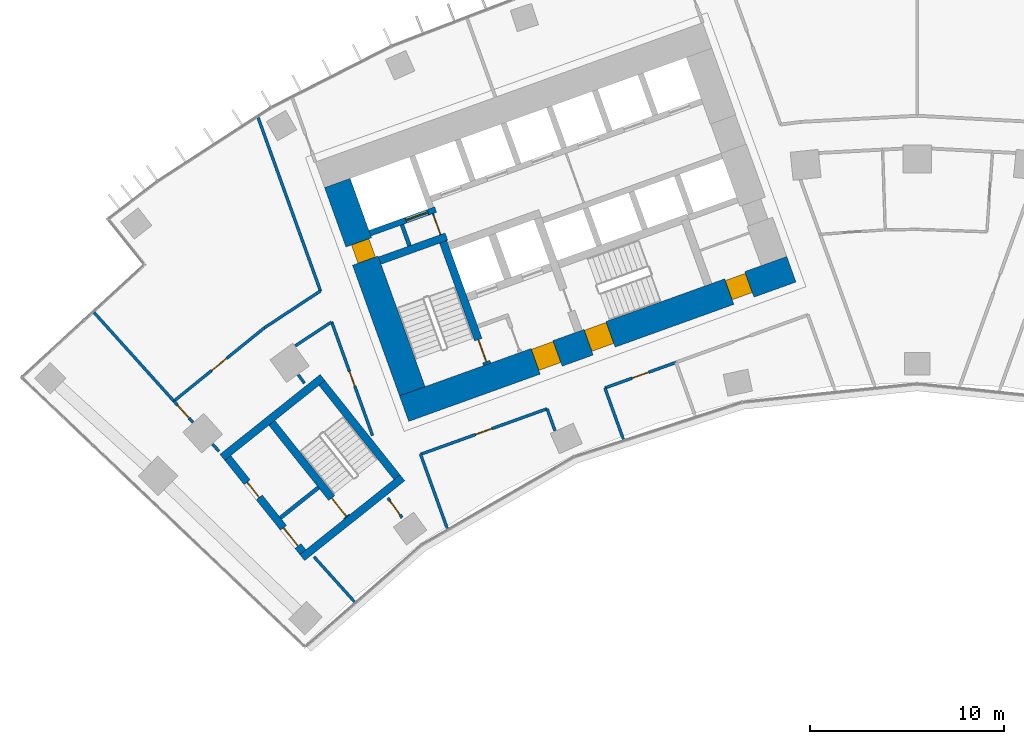
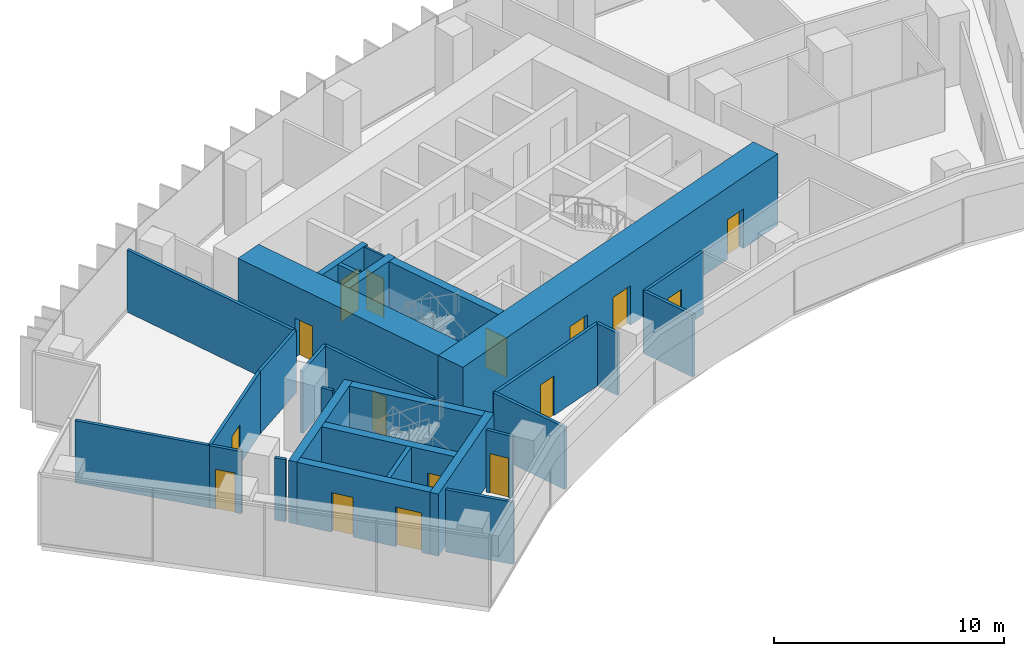
# One storey, part 15 of 22: 29 walls, 16 doors, 16 openings.
"""IFC4 building model written with IfcOpenShell, lengths in metres."""

from ifc_helpers import new_model, si_unit, direction, frame, frame_2d, origin, place, context, subcontext, project, spatial, rectangle, extrude, material, layer, layer_set, type_object, element, fill, save


model = new_model("IFC4")

# Units and contexts
model_context = context("Model", 3, precision=1e-05, world=origin(), true_north=direction((0.0, 1.0)))
body_context = subcontext(model_context, "Body", "Model", "MODEL_VIEW")
ifc_project = project(units=[si_unit("LENGTHUNIT", "METRE"), si_unit("AREAUNIT", "SQUARE_METRE"), si_unit("VOLUMEUNIT", "CUBIC_METRE"), si_unit("PLANEANGLEUNIT", "RADIAN"), si_unit("MASSUNIT", "GRAM", prefix="KILO")], contexts=[model_context])

# Site, building, storey
site_placement = place(None, origin())
site = spatial("IfcSite", under=ifc_project, at=site_placement, CompositionType="ELEMENT")
building_placement = place(site_placement, origin())
building = spatial("IfcBuilding", under=site, at=building_placement, Name="Stone Belt Terrace Tower", CompositionType="ELEMENT")
storey_placement = place(building_placement, frame((0.0, 0.0, 132.60009765625)))
storey = spatial("IfcBuildingStorey", under=building, at=storey_placement, Name="L32", CompositionType="ELEMENT", Elevation=132.60009765625)

# Wall, opening, door
ifc_material_1 = material(Name="Plasterboard partition")
ifc_layer_1 = layer(ifc_material_1, 0.10009765625)
ifc_layer_set_1 = layer_set([ifc_layer_1], Name="Core partition 100")
wall_type_1 = type_object("IfcWallType", Name="Core partition 100", PredefinedType="PARTITIONING", material=ifc_layer_set_1)
wall_1_placement = place(storey_placement, frame((-24.555908203125, 51.10400390625, 0.0), z_axis=(0.0, 0.0, 1.0), x_axis=(-0.338621735342, 0.94092258999, 0.0)))
wall_1 = element("IfcWall", 1, at=wall_1_placement, inside=storey, type_object=wall_type_1, Name="Core A wall", PredefinedType="PARTITIONING", context=body_context, shape_type="SweptSolid", body=[
    extrude(rectangle(XDim=1.14990234375, YDim=0.10009765625, at=frame_2d((0.574951171875, 0.0))), origin(), (0.0, 0.0, 1.0), 3.2998046875),
])
opening_1_placement = place(wall_1_placement, frame((0.050048828125, 0.0, 0.0)))
opening_1 = element("IfcOpeningElement", 2, at=opening_1_placement, cuts=wall_1, Name="Opening L32-C02", PredefinedType="OPENING", context=body_context, shape_type="SweptSolid", body=[
    extrude(rectangle(XDim=1.0, YDim=2.10009765625, at=frame_2d((0.5, 1.050048828125))), frame((0.0, 0.06005859375, 0.0), z_axis=(0.0, -1.0, 0.0), x_axis=(1.0, 0.0, 0.0)), (0.0, 0.0, 1.0), 0.1201171875),
])
ifc_material_2 = material(Name="Timber door leaf", Category="wood")
door_type_1 = type_object("IfcDoorType", Name="Core room door 1000", OperationType="SINGLE_SWING_LEFT", PredefinedType="DOOR", material=ifc_material_2)
door_1_placement = place(opening_1_placement, origin())
door_1 = element("IfcDoor", 3, at=door_1_placement, inside=storey, type_object=door_type_1, Name="Service lift lobby door core A", OperationType="SINGLE_SWING_RIGHT", OverallHeight=2.10009765625, OverallWidth=1.0, PredefinedType="DOOR", context=body_context, shape_type="SweptSolid", body=[
    extrude(rectangle(XDim=1.0, YDim=2.10009765625, at=frame_2d((0.5, 1.050048828125))), frame((0.0, 0.02490234375, 0.0), z_axis=(0.0, -1.0, 0.0), x_axis=(1.0, 0.0, 0.0)), (0.0, 0.0, 1.0), 0.050048828125),
])
fill(opening_1, door_1)

# Wall, openings, doors
ifc_material_3 = material(Name="Concrete B80", Category="concrete")
ifc_layer_2 = layer(ifc_material_3, 1.39990234375)
ifc_layer_set_2 = layer_set([ifc_layer_2], Name="Core wall 1400 B80")
wall_type_2 = type_object("IfcWallType", Name="Core wall 1400 B80", PredefinedType="SHEAR", material=ifc_layer_set_2)
wall_2_placement = place(storey_placement, frame((-26.430908203125, 42.139404296875, 0.0), z_axis=(0.0, 0.0, 1.0), x_axis=(0.940923374003, 0.33861955681, 0.0)))
wall_2 = element("IfcWall", 4, at=wall_2_placement, inside=storey, type_object=wall_type_2, Name="Core A wall concave L32", PredefinedType="SHEAR", context=body_context, shape_type="SweptSolid", body=[
    extrude(rectangle(XDim=21.199951171875, YDim=1.39990234375, at=frame_2d((10.60009765625, 0.0))), origin(), (0.0, 0.0, 1.0), 3.7998046875),
])
opening_2_placement = place(wall_2_placement, frame((7.199951171875, 0.0, 0.0)))
opening_2 = element("IfcOpeningElement", 5, at=opening_2_placement, cuts=wall_2, Name="Opening L32-C07", PredefinedType="OPENING", context=body_context, shape_type="SweptSolid", body=[
    extrude(rectangle(XDim=1.199951171875, YDim=2.10009765625, at=frame_2d((0.60009765625, 1.050048828125))), frame((0.0, 0.7099609375, 0.0), z_axis=(0.0, -1.0, 0.0), x_axis=(1.0, 0.0, 0.0)), (0.0, 0.0, 1.0), 1.419921875),
])
opening_3_placement = place(wall_2_placement, frame((10.099853515625, 0.0, 0.0)))
opening_3 = element("IfcOpeningElement", 6, at=opening_3_placement, cuts=wall_2, Name="Opening L32-C09", PredefinedType="OPENING", context=body_context, shape_type="SweptSolid", body=[
    extrude(rectangle(XDim=1.199951171875, YDim=2.10009765625, at=frame_2d((0.60009765625, 1.050048828125))), frame((0.0, 0.7099609375, 0.0), z_axis=(0.0, -1.0, 0.0), x_axis=(1.0, 0.0, 0.0)), (0.0, 0.0, 1.0), 1.419921875),
])
opening_4_placement = place(wall_2_placement, frame((17.800048828125, 0.0, 0.0)))
opening_4 = element("IfcOpeningElement", 7, at=opening_4_placement, cuts=wall_2, Name="Opening L32-C11", PredefinedType="OPENING", context=body_context, shape_type="SweptSolid", body=[
    extrude(rectangle(XDim=1.10009765625, YDim=2.10009765625, at=frame_2d((0.550048828125, 1.050048828125))), frame((0.0, 0.7099609375, 0.0), z_axis=(0.0, -1.0, 0.0), x_axis=(1.0, 0.0, 0.0)), (0.0, 0.0, 1.0), 1.419921875),
])
door_type_2 = type_object("IfcDoorType", Name="Core room door 1100", OperationType="SINGLE_SWING_LEFT", PredefinedType="DOOR", material=ifc_material_2)
door_2_placement = place(opening_4_placement, origin())
door_2 = element("IfcDoor", 8, at=door_2_placement, inside=storey, type_object=door_type_2, Name="Door to Cleaner's store core A", OperationType="SINGLE_SWING_RIGHT", OverallHeight=2.10009765625, OverallWidth=1.10009765625, PredefinedType="DOOR", context=body_context, shape_type="SweptSolid", body=[
    extrude(rectangle(XDim=1.10009765625, YDim=2.10009765625, at=frame_2d((0.550048828125, 1.050048828125))), frame((0.0, 0.60498046875, 0.0), z_axis=(0.0, -1.0, 0.0), x_axis=(1.0, 0.0, 0.0)), (0.0, 0.0, 1.0), 1.050048828125),
])
fill(opening_4, door_2)
ifc_material_4 = material(Name="Steel door leaf", Category="steel")
door_type_3 = type_object("IfcDoorType", Name="Fire-fighting lobby door 1200", OperationType="SINGLE_SWING_LEFT", PredefinedType="DOOR", material=ifc_material_4)
door_3_placement = place(opening_2_placement, origin())
door_3 = element("IfcDoor", 9, at=door_3_placement, inside=storey, type_object=door_type_3, Name="Fire-fighting lobby door core A", OperationType="SINGLE_SWING_RIGHT", OverallHeight=2.10009765625, OverallWidth=1.199951171875, PredefinedType="DOOR", context=body_context, shape_type="SweptSolid", body=[
    extrude(rectangle(XDim=1.199951171875, YDim=2.10009765625, at=frame_2d((0.60009765625, 1.050048828125))), frame((0.0, 0.655029296875, 0.0), z_axis=(0.0, -1.0, 0.0), x_axis=(1.0, 0.0, 0.0)), (0.0, 0.0, 1.0), 1.14990234375),
])
fill(opening_2, door_3)
door_type_4 = type_object("IfcDoorType", Name="Stair door 1200", OperationType="SINGLE_SWING_LEFT", PredefinedType="DOOR", material=ifc_material_4)
door_4_placement = place(opening_3_placement, origin())
door_4 = element("IfcDoor", 10, at=door_4_placement, inside=storey, type_object=door_type_4, Name="Stair 2 exit door core A", OperationType="SINGLE_SWING_LEFT", OverallHeight=2.10009765625, OverallWidth=1.199951171875, PredefinedType="DOOR", context=body_context, shape_type="SweptSolid", body=[
    extrude(rectangle(XDim=1.199951171875, YDim=2.10009765625, at=frame_2d((0.60009765625, 1.050048828125))), frame((0.0, 0.655029296875, 0.0), z_axis=(0.0, -1.0, 0.0), x_axis=(1.0, 0.0, 0.0)), (0.0, 0.0, 1.0), 1.14990234375),
])
fill(opening_3, door_4)

# Wall, opening, door
wall_3_placement = place(storey_placement, frame((-26.00927734375, 43.03515625, 0.0), z_axis=(0.0, 0.0, 1.0), x_axis=(-0.338625431531, 0.940921259788, 0.0)))
wall_3 = element("IfcWall", 11, at=wall_3_placement, inside=storey, type_object=wall_type_2, Name="Core A wall end_a L32", PredefinedType="SHEAR", context=body_context, shape_type="SweptSolid", body=[
    extrude(rectangle(XDim=11.400146484375, YDim=1.39990234375, at=frame_2d((5.7001953125, 0.0))), origin(), (0.0, 0.0, 1.0), 3.7998046875),
])
opening_5_placement = place(wall_3_placement, frame((7.14990234375, 0.0, 0.0)))
opening_5 = element("IfcOpeningElement", 12, at=opening_5_placement, cuts=wall_3, Name="Opening L32-C01", PredefinedType="OPENING", context=body_context, shape_type="SweptSolid", body=[
    extrude(rectangle(XDim=1.0, YDim=2.10009765625, at=frame_2d((0.5, 1.050048828125))), frame((0.0, 0.7099609375, 0.0), z_axis=(0.0, -1.0, 0.0), x_axis=(1.0, 0.0, 0.0)), (0.0, 0.0, 1.0), 1.419921875),
])
door_5_placement = place(opening_5_placement, origin())
door_5 = element("IfcDoor", 13, at=door_5_placement, inside=storey, type_object=door_type_1, Name="Door to Telecommunications riser room core A", OperationType="SINGLE_SWING_LEFT", OverallHeight=2.10009765625, OverallWidth=1.0, PredefinedType="DOOR", context=body_context, shape_type="SweptSolid", body=[
    extrude(rectangle(XDim=1.0, YDim=2.10009765625, at=frame_2d((0.5, 1.050048828125))), frame((0.0, 0.39501953125, 0.0), z_axis=(0.0, -1.0, 0.0), x_axis=(1.0, 0.0, 0.0)), (0.0, 0.0, 1.0), 0.949951171875),
])
fill(opening_5, door_5)

ifc_layer_3 = layer(ifc_material_3, 0.300048828125)
ifc_layer_set_3 = layer_set([ifc_layer_3], Name="Lift shaft wall 300")
wall_type_3 = type_object("IfcWallType", Name="Lift shaft wall 300", PredefinedType="SHEAR", material=ifc_layer_set_3)
wall_4_placement = place(storey_placement, frame((-28.195068359375, 51.17578125, 0.0), z_axis=(0.0, 0.0, 1.0), x_axis=(0.940901243567, 0.338681044427, 0.0)))
wall_4 = element("IfcWall", 14, at=wall_4_placement, inside=storey, type_object=wall_type_3, Name="Core A wall", PredefinedType="SHEAR", context=body_context, shape_type="SweptSolid", body=[
    extrude(rectangle(XDim=3.599853515625, YDim=0.300048828125, at=frame_2d((1.7998046875, 0.0))), origin(), (0.0, 0.0, 1.0), 3.2998046875),
])
opening_6_placement = place(wall_4_placement, frame((1.969970703125, 0.0, 0.0)))
opening_6 = element("IfcOpeningElement", 15, at=opening_6_placement, cuts=wall_4, Name="Opening L32-LD09", PredefinedType="OPENING", context=body_context, shape_type="SweptSolid", body=[
    extrude(rectangle(XDim=1.199951171875, YDim=2.199951171875, at=frame_2d((0.60009765625, 1.10009765625))), frame((0.0, 0.159912109375, 0.0), z_axis=(0.0, -1.0, 0.0), x_axis=(1.0, 0.0, 0.0)), (0.0, 0.0, 1.0), 0.320068359375),
])
ifc_material_5 = material(Name="Stainless steel door leaf", Category="steel")
door_type_5 = type_object("IfcDoorType", Name="Landing door 1200", OperationType="SLIDING_TO_LEFT", PredefinedType="DOOR", material=ifc_material_5)
door_6_placement = place(opening_6_placement, origin())
door_6 = element("IfcDoor", 16, at=door_6_placement, inside=storey, type_object=door_type_5, Name="Landing door SV1 core A", OperationType="SLIDING_TO_LEFT", OverallHeight=2.199951171875, OverallWidth=1.199951171875, PredefinedType="DOOR", context=body_context, shape_type="SweptSolid", body=[
    extrude(rectangle(XDim=1.199951171875, YDim=2.199951171875, at=frame_2d((0.60009765625, 1.10009765625))), frame((0.0, 0.02490234375, 0.0), z_axis=(0.0, -1.0, 0.0), x_axis=(1.0, 0.0, 0.0)), (0.0, 0.0, 1.0), 0.050048828125),
])
fill(opening_6, door_6)

# Wall
ifc_material_6 = material(Name="Gypsum board partition")
ifc_layer_4 = layer(ifc_material_6, 0.14990234375)
ifc_layer_set_4 = layer_set([ifc_layer_4], Name="PARTITION 150 EI 60")
wall_type_4 = type_object("IfcWallType", Name="PARTITION 150 EI 60", PredefinedType="PARTITIONING", material=ifc_layer_set_4)
wall_5_placement = place(storey_placement, frame((-25.5859375, 39.79296875, 0.0), z_axis=(0.0, 0.0, 1.0), x_axis=(0.338542603355, -0.940951064463, 0.0)))
element("IfcWall", 17, at=wall_5_placement, inside=storey, type_object=wall_type_4, Name="L32/wall/i001", PredefinedType="PARTITIONING", context=body_context, shape_type="SweptSolid", body=[
    extrude(rectangle(XDim=4.05712890625, YDim=0.14990234375, at=frame_2d((2.028564453125, 0.0))), origin(), (0.0, 0.0, 1.0), 3.2998046875),
])

# Wall, opening, door
wall_6_placement = place(storey_placement, frame((-28.05810546875, 40.75390625, 0.0), z_axis=(0.0, 0.0, 1.0), x_axis=(-0.338523697563, 0.94095786632, 0.0)))
wall_6 = element("IfcWall", 18, at=wall_6_placement, inside=storey, type_object=wall_type_4, Name="L32/wall/i003", PredefinedType="PARTITIONING", context=body_context, shape_type="SweptSolid", body=[
    extrude(rectangle(XDim=6.226806640625, YDim=0.14990234375, at=frame_2d((3.11328125, 0.0))), origin(), (0.0, 0.0, 1.0), 3.2998046875),
])
opening_7_placement = place(wall_6_placement, frame((2.71337890625, 0.0, 0.0)))
opening_7 = element("IfcOpeningElement", 19, at=opening_7_placement, cuts=wall_6, Name="Opening D-B5-13", PredefinedType="OPENING", context=body_context, shape_type="SweptSolid", body=[
    extrude(rectangle(XDim=0.800048828125, YDim=2.10009765625, at=frame_2d((0.39990234375, 1.050048828125))), frame((0.0, 0.0849609375, 0.0), z_axis=(0.0, -1.0, 0.0), x_axis=(1.0, 0.0, 0.0)), (0.0, 0.0, 1.0), 0.169921875),
])
door_type_6 = type_object("IfcDoorType", Name="STORE DOOR 800 X 2100", OperationType="NOTDEFINED", PredefinedType="DOOR", material=ifc_material_2)
door_7_placement = place(opening_7_placement, origin())
door_7 = element("IfcDoor", 20, at=door_7_placement, inside=storey, type_object=door_type_6, Name="L32/door/i13", OperationType="SINGLE_SWING_RIGHT", OverallHeight=2.10009765625, OverallWidth=0.800048828125, PredefinedType="DOOR", context=body_context, shape_type="SweptSolid", body=[
    extrude(rectangle(XDim=0.800048828125, YDim=2.10009765625, at=frame_2d((0.39990234375, 1.050048828125))), frame((0.0, 0.02490234375, 0.0), z_axis=(0.0, -1.0, 0.0), x_axis=(1.0, 0.0, 0.0)), (0.0, 0.0, 1.0), 0.050048828125),
])
fill(opening_7, door_7)

wall_7_placement = place(storey_placement, frame((-26.534912109375, 36.52294921875, 0.0), z_axis=(0.0, 0.0, 1.0), x_axis=(-0.58822969918, 0.80869389821, 0.0)))
wall_7 = element("IfcWall", 21, at=wall_7_placement, inside=storey, type_object=wall_type_4, Name="L32/wall/i004", PredefinedType="PARTITIONING", context=body_context, shape_type="SweptSolid", body=[
    extrude(rectangle(XDim=1.25146484375, YDim=0.14990234375, at=frame_2d((0.625732421875, 0.0))), origin(), (0.0, 0.0, 1.0), 3.2998046875),
])
opening_8_placement = place(wall_7_placement, frame((0.17578125, 0.0, 0.0)))
opening_8 = element("IfcOpeningElement", 22, at=opening_8_placement, cuts=wall_7, Name="Opening D-B5-14", PredefinedType="OPENING", context=body_context, shape_type="SweptSolid", body=[
    extrude(rectangle(XDim=0.89990234375, YDim=2.10009765625, at=frame_2d((0.449951171875, 1.050048828125))), frame((0.0, 0.0849609375, 0.0), z_axis=(0.0, -1.0, 0.0), x_axis=(1.0, 0.0, 0.0)), (0.0, 0.0, 1.0), 0.169921875),
])
ifc_material_7 = material(Name="Timber fire door leaf", Category="wood")
door_type_7 = type_object("IfcDoorType", Name="TENANCY ENTRANCE DOOR 900 X 2100", OperationType="NOTDEFINED", PredefinedType="DOOR", material=ifc_material_7)
door_8_placement = place(opening_8_placement, origin())
door_8 = element("IfcDoor", 23, at=door_8_placement, inside=storey, type_object=door_type_7, Name="L32/door/i14", OperationType="SINGLE_SWING_RIGHT", OverallHeight=2.10009765625, OverallWidth=0.89990234375, PredefinedType="DOOR", context=body_context, shape_type="SweptSolid", body=[
    extrude(rectangle(XDim=0.89990234375, YDim=2.10009765625, at=frame_2d((0.449951171875, 1.050048828125))), frame((0.0, 0.02490234375, 0.0), z_axis=(0.0, -1.0, 0.0), x_axis=(1.0, 0.0, 0.0)), (0.0, 0.0, 1.0), 0.050048828125),
])
fill(opening_8, door_8)

# Walls
wall_8_placement = place(storey_placement, frame((-30.737060546875, 48.197021484375, 0.0), z_axis=(0.0, 0.0, 1.0), x_axis=(-0.338586530295, 0.940935258933, 0.0)))
element("IfcWall", 24, at=wall_8_placement, inside=storey, type_object=wall_type_4, Name="L32/wall/i005", PredefinedType="PARTITIONING", context=body_context, shape_type="SweptSolid", body=[
    extrude(rectangle(XDim=9.494873046875, YDim=0.14990234375, at=frame_2d((4.74755859375, 0.0))), origin(), (0.0, 0.0, 1.0), 3.2998046875),
])
wall_9_placement = place(storey_placement, frame((-18.6611328125, 41.0048828125, 0.0), z_axis=(0.0, 0.0, 1.0), x_axis=(-0.338560385622, 0.940944666432, 0.0)))
element("IfcWall", 25, at=wall_9_placement, inside=storey, type_object=wall_type_4, Name="L32/wall/i011", PredefinedType="PARTITIONING", context=body_context, shape_type="SweptSolid", body=[
    extrude(rectangle(XDim=1.195556640625, YDim=0.14990234375, at=frame_2d((0.59765625, 0.0))), origin(), (0.0, 0.0, 1.0), 3.2998046875),
])

# Wall, opening, door
wall_10_placement = place(storey_placement, frame((-19.069091796875, 42.131103515625, 0.0), z_axis=(0.0, 0.0, 1.0), x_axis=(-0.940934157929, -0.338589589981, 0.0)))
wall_10 = element("IfcWall", 26, at=wall_10_placement, inside=storey, type_object=wall_type_4, Name="L32/wall/i012", PredefinedType="PARTITIONING", context=body_context, shape_type="SweptSolid", body=[
    extrude(rectangle(XDim=6.9228515625, YDim=0.14990234375, at=frame_2d((3.46142578125, 0.0))), origin(), (0.0, 0.0, 1.0), 3.2998046875),
])
opening_9_placement = place(wall_10_placement, frame((3.011474609375, 0.0, 0.0)))
opening_9 = element("IfcOpeningElement", 27, at=opening_9_placement, cuts=wall_10, Name="Opening D-B5-01", PredefinedType="OPENING", context=body_context, shape_type="SweptSolid", body=[
    extrude(rectangle(XDim=0.89990234375, YDim=2.10009765625, at=frame_2d((0.449951171875, 1.050048828125))), frame((0.0, 0.0849609375, 0.0), z_axis=(0.0, -1.0, 0.0), x_axis=(1.0, 0.0, 0.0)), (0.0, 0.0, 1.0), 0.169921875),
])
door_type_8 = type_object("IfcDoorType", Name="OFFICE DOOR 900 X 2100", OperationType="NOTDEFINED", PredefinedType="DOOR", material=ifc_material_2)
door_9_placement = place(opening_9_placement, origin())
door_9 = element("IfcDoor", 28, at=door_9_placement, inside=storey, type_object=door_type_8, Name="L32/door/i01", OperationType="SINGLE_SWING_RIGHT", OverallHeight=2.10009765625, OverallWidth=0.89990234375, PredefinedType="DOOR", context=body_context, shape_type="SweptSolid", body=[
    extrude(rectangle(XDim=0.89990234375, YDim=2.10009765625, at=frame_2d((0.449951171875, 1.050048828125))), frame((0.0, 0.02490234375, 0.0), z_axis=(0.0, -1.0, 0.0), x_axis=(1.0, 0.0, 0.0)), (0.0, 0.0, 1.0), 0.050048828125),
])
fill(opening_9, door_9)

wall_11_placement = place(storey_placement, frame((-12.4208984375, 44.52392578125, 0.0), z_axis=(0.0, 0.0, 1.0), x_axis=(-0.940962479026, -0.338510875846, 0.0)))
wall_11 = element("IfcWall", 29, at=wall_11_placement, inside=storey, type_object=wall_type_4, Name="L32/wall/i013", PredefinedType="PARTITIONING", context=body_context, shape_type="SweptSolid", body=[
    extrude(rectangle(XDim=3.89599609375, YDim=0.14990234375, at=frame_2d((1.947998046875, 0.0))), origin(), (0.0, 0.0, 1.0), 3.2998046875),
])
opening_10_placement = place(wall_11_placement, frame((1.498046875, 0.0, 0.0)))
opening_10 = element("IfcOpeningElement", 30, at=opening_10_placement, cuts=wall_11, Name="Opening D-B5-02", PredefinedType="OPENING", context=body_context, shape_type="SweptSolid", body=[
    extrude(rectangle(XDim=0.89990234375, YDim=2.10009765625, at=frame_2d((0.449951171875, 1.050048828125))), frame((0.0, 0.0849609375, 0.0), z_axis=(0.0, -1.0, 0.0), x_axis=(1.0, 0.0, 0.0)), (0.0, 0.0, 1.0), 0.169921875),
])
door_10_placement = place(opening_10_placement, origin())
door_10 = element("IfcDoor", 31, at=door_10_placement, inside=storey, type_object=door_type_8, Name="L32/door/i02", OperationType="SINGLE_SWING_RIGHT", OverallHeight=2.10009765625, OverallWidth=0.89990234375, PredefinedType="DOOR", context=body_context, shape_type="SweptSolid", body=[
    extrude(rectangle(XDim=0.89990234375, YDim=2.10009765625, at=frame_2d((0.449951171875, 1.050048828125))), frame((0.0, 0.02490234375, 0.0), z_axis=(0.0, -1.0, 0.0), x_axis=(1.0, 0.0, 0.0)), (0.0, 0.0, 1.0), 0.050048828125),
])
fill(opening_10, door_10)

# Wall
wall_12_placement = place(storey_placement, frame((-16.087890625, 43.201904296875, 0.0), z_axis=(0.0, 0.0, 1.0), x_axis=(0.338645330033, -0.940914098336, 0.0)))
element("IfcWall", 32, at=wall_12_placement, inside=storey, type_object=wall_type_4, Name="L32/wall/i014", PredefinedType="PARTITIONING", context=body_context, shape_type="SweptSolid", body=[
    extrude(rectangle(XDim=2.798583984375, YDim=0.14990234375, at=frame_2d((1.3994140625, 0.0))), origin(), (0.0, 0.0, 1.0), 3.2998046875),
])

# Wall, opening, door
wall_13_placement = place(storey_placement, frame((-37.3076171875, 41.433837890625, 0.0), z_axis=(0.0, 0.0, 1.0), x_axis=(-0.669238977833, 0.743047233054, 0.0)))
wall_13 = element("IfcWall", 33, at=wall_13_placement, inside=storey, type_object=wall_type_4, Name="L32/wall/i036", PredefinedType="PARTITIONING", context=body_context, shape_type="SweptSolid", body=[
    extrude(rectangle(XDim=1.475341796875, YDim=0.14990234375, at=frame_2d((0.73779296875, 0.0))), origin(), (0.0, 0.0, 1.0), 3.2998046875),
])
opening_11_placement = place(wall_13_placement, frame((0.28759765625, 0.0, 0.0)))
opening_11 = element("IfcOpeningElement", 34, at=opening_11_placement, cuts=wall_13, Name="Opening D-B5-12", PredefinedType="OPENING", context=body_context, shape_type="SweptSolid", body=[
    extrude(rectangle(XDim=0.89990234375, YDim=2.10009765625, at=frame_2d((0.449951171875, 1.050048828125))), frame((0.0, 0.0849609375, 0.0), z_axis=(0.0, -1.0, 0.0), x_axis=(1.0, 0.0, 0.0)), (0.0, 0.0, 1.0), 0.169921875),
])
door_11_placement = place(opening_11_placement, origin())
door_11 = element("IfcDoor", 35, at=door_11_placement, inside=storey, type_object=door_type_7, Name="L32/door/i12", OperationType="SINGLE_SWING_RIGHT", OverallHeight=2.10009765625, OverallWidth=0.89990234375, PredefinedType="DOOR", context=body_context, shape_type="SweptSolid", body=[
    extrude(rectangle(XDim=0.89990234375, YDim=2.10009765625, at=frame_2d((0.449951171875, 1.050048828125))), frame((0.0, 0.02490234375, 0.0), z_axis=(0.0, -1.0, 0.0), x_axis=(1.0, 0.0, 0.0)), (0.0, 0.0, 1.0), 0.050048828125),
])
fill(opening_11, door_11)

# Walls
wall_14_placement = place(storey_placement, frame((-36.297119140625, 40.311767578125, 0.0), z_axis=(0.0, 0.0, 1.0), x_axis=(0.669100229536, -0.743172175768, 0.0)))
element("IfcWall", 36, at=wall_14_placement, inside=storey, type_object=wall_type_4, Name="L32/wall/i037", PredefinedType="PARTITIONING", context=body_context, shape_type="SweptSolid", body=[
    extrude(rectangle(XDim=0.497802734375, YDim=0.14990234375, at=frame_2d((0.2490234375, 0.0))), origin(), (0.0, 0.0, 1.0), 3.2998046875),
])
wall_15_placement = place(storey_placement, frame((-31.071044921875, 34.507080078125, 0.0), z_axis=(0.0, 0.0, 1.0), x_axis=(0.669060096377, -0.743208306894, 0.0)))
element("IfcWall", 37, at=wall_15_placement, inside=storey, type_object=wall_type_4, Name="L32/wall/i038", PredefinedType="PARTITIONING", context=body_context, shape_type="SweptSolid", body=[
    extrude(rectangle(XDim=3.111572265625, YDim=0.14990234375, at=frame_2d((1.5556640625, 0.0))), origin(), (0.0, 0.0, 1.0), 3.2998046875),
])
wall_16_placement = place(storey_placement, frame((-42.39501953125, 47.084228515625, 0.0), z_axis=(0.0, 0.0, 1.0), x_axis=(0.669054797939, -0.743213076684, 0.0)))
element("IfcWall", 38, at=wall_16_placement, inside=storey, type_object=wall_type_4, Name="L32/wall/i039", PredefinedType="PARTITIONING", context=body_context, shape_type="SweptSolid", body=[
    extrude(rectangle(XDim=6.139892578125, YDim=0.14990234375, at=frame_2d((3.06982421875, 0.0))), origin(), (0.0, 0.0, 1.0), 3.2998046875),
])
wall_17_placement = place(storey_placement, frame((-30.1650390625, 46.60595703125, 0.0), z_axis=(0.0, 0.0, 1.0), x_axis=(-0.835442130402, -0.549578426386, 0.0)))
element("IfcWall", 39, at=wall_17_placement, inside=storey, type_object=wall_type_4, Name="L32/wall/i040", PredefinedType="PARTITIONING", context=body_context, shape_type="SweptSolid", body=[
    extrude(rectangle(XDim=2.237548828125, YDim=0.14990234375, at=frame_2d((1.11865234375, 0.0))), origin(), (0.0, 0.0, 1.0), 3.2998046875),
])
wall_18_placement = place(storey_placement, frame((-31.88427734375, 43.88525390625, 0.0), z_axis=(0.0, 0.0, 1.0), x_axis=(0.588064762831, -0.808813844291, 0.0)))
element("IfcWall", 40, at=wall_18_placement, inside=storey, type_object=wall_type_4, Name="L32/wall/i041", PredefinedType="PARTITIONING", context=body_context, shape_type="SweptSolid", body=[
    extrude(rectangle(XDim=0.54296875, YDim=0.14990234375, at=frame_2d((0.271484375, 0.0))), origin(), (0.0, 0.0, 1.0), 3.2998046875),
])

# Wall, opening, door
wall_19_placement = place(storey_placement, frame((-38.2900390625, 42.527099609375, 0.0), z_axis=(0.0, 0.0, 1.0), x_axis=(0.77714422733, 0.629322532513, 0.0)))
wall_19 = element("IfcWall", 41, at=wall_19_placement, inside=storey, type_object=wall_type_4, Name="L32/wall/i042", PredefinedType="PARTITIONING", context=body_context, shape_type="SweptSolid", body=[
    extrude(rectangle(XDim=5.98876953125, YDim=0.14990234375, at=frame_2d((2.994384765625, 0.0))), origin(), (0.0, 0.0, 1.0), 3.2998046875),
])
opening_12_placement = place(wall_19_placement, frame((2.494384765625, 0.0, 0.0)))
opening_12 = element("IfcOpeningElement", 42, at=opening_12_placement, cuts=wall_19, Name="Opening D-B5-15", PredefinedType="OPENING", context=body_context, shape_type="SweptSolid", body=[
    extrude(rectangle(XDim=1.0, YDim=2.10009765625, at=frame_2d((0.5, 1.050048828125))), frame((0.0, 0.0849609375, 0.0), z_axis=(0.0, -1.0, 0.0), x_axis=(1.0, 0.0, 0.0)), (0.0, 0.0, 1.0), 0.169921875),
])
door_type_9 = type_object("IfcDoorType", Name="TENANCY ENTRANCE DOOR 1000 X 2100", OperationType="NOTDEFINED", PredefinedType="DOOR", material=ifc_material_7)
door_12_placement = place(opening_12_placement, origin())
door_12 = element("IfcDoor", 43, at=door_12_placement, inside=storey, type_object=door_type_9, Name="L32/door/i15", OperationType="SINGLE_SWING_RIGHT", OverallHeight=2.10009765625, OverallWidth=1.0, PredefinedType="DOOR", context=body_context, shape_type="SweptSolid", body=[
    extrude(rectangle(XDim=1.0, YDim=2.10009765625, at=frame_2d((0.5, 1.050048828125))), frame((0.0, 0.02490234375, 0.0), z_axis=(0.0, -1.0, 0.0), x_axis=(1.0, 0.0, 0.0)), (0.0, 0.0, 1.0), 0.050048828125),
])
fill(opening_12, door_12)

# Walls
wall_20_placement = place(storey_placement, frame((-33.635986328125, 46.2958984375, 0.0), z_axis=(0.0, 0.0, 1.0), x_axis=(0.835274160171, 0.549833681535, 0.0)))
element("IfcWall", 44, at=wall_20_placement, inside=storey, type_object=wall_type_4, Name="L32/wall/i043", PredefinedType="PARTITIONING", context=body_context, shape_type="SweptSolid", body=[
    extrude(rectangle(XDim=3.46826171875, YDim=0.14990234375, at=frame_2d((1.734130859375, 0.0))), origin(), (0.0, 0.0, 1.0), 3.2998046875),
])
ifc_material_8 = material(Name="Concrete masonry block", Category="masonry")
ifc_layer_5 = layer(ifc_material_8, 0.199951171875)
ifc_layer_set_5 = layer_set([ifc_layer_5], Name="Rated lobby wall 200")
wall_type_5 = type_object("IfcWallType", Name="Rated lobby wall 200", PredefinedType="PARTITIONING", material=ifc_layer_set_5)
wall_21_placement = place(storey_placement, frame((-26.1552734375, 50.5283203125, 0.0), z_axis=(0.0, 0.0, 1.0), x_axis=(-0.338621735342, 0.94092258999, 0.0)))
element("IfcWall", 45, at=wall_21_placement, inside=storey, type_object=wall_type_5, Name="Core A wall", PredefinedType="PARTITIONING", context=body_context, shape_type="SweptSolid", body=[
    extrude(rectangle(XDim=1.14990234375, YDim=0.199951171875, at=frame_2d((0.574951171875, 0.0))), origin(), (0.0, 0.0, 1.0), 3.2998046875),
])
wall_22_placement = place(storey_placement, frame((-30.845703125, 38.074951171875, 0.0), z_axis=(0.0, 0.0, 1.0), x_axis=(-0.782115323833, -0.623133709749, 0.0)))
element("IfcWall", 46, at=wall_22_placement, inside=storey, type_object=wall_type_5, Name="Exit stair ST3A wall", PredefinedType="PARTITIONING", context=body_context, shape_type="SweptSolid", body=[
    extrude(rectangle(XDim=2.5, YDim=0.199951171875, at=frame_2d((1.25, 0.0))), origin(), (0.0, 0.0, 1.0), 3.2998046875),
])
ifc_layer_6 = layer(ifc_material_3, 0.39990234375)
ifc_layer_set_6 = layer_set([ifc_layer_6], Name="Stair enclosure wall 400")
wall_type_6 = type_object("IfcWallType", Name="Stair enclosure wall 400", PredefinedType="SHEAR", material=ifc_layer_set_6)
wall_23_placement = place(storey_placement, frame((-27.687255859375, 49.764404296875, 0.0), z_axis=(0.0, 0.0, 1.0), x_axis=(0.940918954884, 0.338631835981, 0.0)))
element("IfcWall", 47, at=wall_23_placement, inside=storey, type_object=wall_type_6, Name="Core A wall", PredefinedType="SHEAR", context=body_context, shape_type="SweptSolid", body=[
    extrude(rectangle(XDim=3.650146484375, YDim=0.39990234375, at=frame_2d((1.8251953125, 0.0))), origin(), (0.0, 0.0, 1.0), 3.2998046875),
])

# Wall, opening, door
wall_24_placement = place(storey_placement, frame((-22.151611328125, 44.42333984375, 0.0), z_axis=(0.0, 0.0, 1.0), x_axis=(-0.338625272931, 0.940921316866, 0.0)))
wall_24 = element("IfcWall", 48, at=wall_24_placement, inside=storey, type_object=wall_type_6, Name="Core A wall", PredefinedType="SHEAR", context=body_context, shape_type="SweptSolid", body=[
    extrude(rectangle(XDim=6.699951171875, YDim=0.39990234375, at=frame_2d((3.35009765625, 0.0))), origin(), (0.0, 0.0, 1.0), 3.2998046875),
])
opening_13_placement = place(wall_24_placement, frame((0.14990234375, 0.0, 0.0)))
opening_13 = element("IfcOpeningElement", 49, at=opening_13_placement, cuts=wall_24, Name="Opening L32-C05", PredefinedType="OPENING", context=body_context, shape_type="SweptSolid", body=[
    extrude(rectangle(XDim=1.199951171875, YDim=2.10009765625, at=frame_2d((0.60009765625, 1.050048828125))), frame((0.0, 0.2099609375, 0.0), z_axis=(0.0, -1.0, 0.0), x_axis=(1.0, 0.0, 0.0)), (0.0, 0.0, 1.0), 0.419921875),
])
door_13_placement = place(opening_13_placement, origin())
door_13 = element("IfcDoor", 50, at=door_13_placement, inside=storey, type_object=door_type_4, Name="Stair 1 door core A", OperationType="SINGLE_SWING_RIGHT", OverallHeight=2.10009765625, OverallWidth=1.199951171875, PredefinedType="DOOR", context=body_context, shape_type="SweptSolid", body=[
    extrude(rectangle(XDim=1.199951171875, YDim=2.10009765625, at=frame_2d((0.60009765625, 1.050048828125))), frame((0.0, 0.02490234375, 0.0), z_axis=(0.0, -1.0, 0.0), x_axis=(1.0, 0.0, 0.0)), (0.0, 0.0, 1.0), 0.050048828125),
])
fill(opening_13, door_13)

# Walls
for number, where, z_axis, x_axis, name in (
    (51, (-26.518798828125, 38.58154296875, 0.0), (0.0, 0.0, 1.0), (-0.782133914161, -0.623110375711, 0.0), "Exit stair ST3A wall"),
    (52, (-30.63134765625, 43.74365234375, 0.0), (0.0, 0.0, 1.0), (-0.782133914161, -0.623110375711, 0.0), "Exit stair ST3A wall"),
):
    element("IfcWall", number, at=place(storey_placement, frame(where, z_axis=z_axis, x_axis=x_axis)), inside=storey, type_object=wall_type_6, Name=name, PredefinedType="SHEAR", context=body_context, shape_type="SweptSolid", body=[
        extrude(rectangle(XDim=6.60009765625, YDim=0.39990234375, at=frame_2d((3.300048828125, 0.0))), origin(), (0.0, 0.0, 1.0), 3.2998046875),
    ])
wall_25_placement = place(storey_placement, frame((-26.7998046875, 38.61328125, 0.0), z_axis=(0.0, 0.0, 1.0), x_axis=(-0.623118653668, 0.782127319208, 0.0)))
element("IfcWall", 53, at=wall_25_placement, inside=storey, type_object=wall_type_6, Name="Exit stair ST3A wall", PredefinedType="SHEAR", context=body_context, shape_type="SweptSolid", body=[
    extrude(rectangle(XDim=6.199951171875, YDim=0.39990234375, at=frame_2d((3.10009765625, 0.0))), origin(), (0.0, 0.0, 1.0), 3.2998046875),
])

# Wall, openings, doors
wall_26_placement = place(storey_placement, frame((-31.64892578125, 34.75, 0.0), z_axis=(0.0, 0.0, 1.0), x_axis=(-0.623118653668, 0.782127319208, 0.0)))
wall_26 = element("IfcWall", 54, at=wall_26_placement, inside=storey, type_object=wall_type_6, Name="Exit stair ST3A wall", PredefinedType="SHEAR", context=body_context, shape_type="SweptSolid", body=[
    extrude(rectangle(XDim=6.199951171875, YDim=0.39990234375, at=frame_2d((3.10009765625, 0.0))), origin(), (0.0, 0.0, 1.0), 3.2998046875),
])
opening_14_placement = place(wall_26_placement, frame((0.39990234375, 0.0, 0.0)))
opening_14 = element("IfcOpeningElement", 55, at=opening_14_placement, cuts=wall_26, Name="Opening L32-C24", PredefinedType="OPENING", context=body_context, shape_type="SweptSolid", body=[
    extrude(rectangle(XDim=1.199951171875, YDim=2.10009765625, at=frame_2d((0.60009765625, 1.050048828125))), frame((0.0, 0.2099609375, 0.0), z_axis=(0.0, -1.0, 0.0), x_axis=(1.0, 0.0, 0.0)), (0.0, 0.0, 1.0), 0.419921875),
])
opening_15_placement = place(wall_26_placement, frame((3.60009765625, 0.0, 0.0)))
opening_15 = element("IfcOpeningElement", 56, at=opening_15_placement, cuts=wall_26, Name="Opening L32-C25", PredefinedType="OPENING", context=body_context, shape_type="SweptSolid", body=[
    extrude(rectangle(XDim=1.0, YDim=2.10009765625, at=frame_2d((0.5, 1.050048828125))), frame((0.0, 0.2099609375, 0.0), z_axis=(0.0, -1.0, 0.0), x_axis=(1.0, 0.0, 0.0)), (0.0, 0.0, 1.0), 0.419921875),
])
door_14_placement = place(opening_15_placement, origin())
door_14 = element("IfcDoor", 57, at=door_14_placement, inside=storey, type_object=door_type_1, Name="Door to stair pressurisation plant room ST3A", OperationType="SINGLE_SWING_LEFT", OverallHeight=2.10009765625, OverallWidth=1.0, PredefinedType="DOOR", context=body_context, shape_type="SweptSolid", body=[
    extrude(rectangle(XDim=1.0, YDim=2.10009765625, at=frame_2d((0.5, 1.050048828125))), frame((0.0, 0.02490234375, 0.0), z_axis=(0.0, -1.0, 0.0), x_axis=(1.0, 0.0, 0.0)), (0.0, 0.0, 1.0), 0.050048828125),
])
fill(opening_15, door_14)
door_type_10 = type_object("IfcDoorType", Name="Stair airlock door 1200", OperationType="SINGLE_SWING_LEFT", PredefinedType="DOOR", material=ifc_material_4)
door_15_placement = place(opening_14_placement, origin())
door_15 = element("IfcDoor", 58, at=door_15_placement, inside=storey, type_object=door_type_10, Name="Stair airlock door ST3A", OperationType="SINGLE_SWING_LEFT", OverallHeight=2.10009765625, OverallWidth=1.199951171875, PredefinedType="DOOR", context=body_context, shape_type="SweptSolid", body=[
    extrude(rectangle(XDim=1.199951171875, YDim=2.10009765625, at=frame_2d((0.60009765625, 1.050048828125))), frame((0.0, 0.02490234375, 0.0), z_axis=(0.0, -1.0, 0.0), x_axis=(1.0, 0.0, 0.0)), (0.0, 0.0, 1.0), 0.050048828125),
])
fill(opening_14, door_15)

# Wall, opening, door
wall_27_placement = place(storey_placement, frame((-29.380859375, 36.556884765625, 0.0), z_axis=(0.0, 0.0, 1.0), x_axis=(-0.623099462847, 0.782142608097, 0.0)))
wall_27 = element("IfcWall", 59, at=wall_27_placement, inside=storey, type_object=wall_type_6, Name="Exit stair ST3A wall", PredefinedType="SHEAR", context=body_context, shape_type="SweptSolid", body=[
    extrude(rectangle(XDim=6.2001953125, YDim=0.39990234375, at=frame_2d((3.10009765625, 0.0))), origin(), (0.0, 0.0, 1.0), 3.2998046875),
])
opening_16_placement = place(wall_27_placement, frame((0.050048828125, 0.0, 0.0)))
opening_16 = element("IfcOpeningElement", 60, at=opening_16_placement, cuts=wall_27, Name="Opening L32-C23", PredefinedType="OPENING", context=body_context, shape_type="SweptSolid", body=[
    extrude(rectangle(XDim=1.199951171875, YDim=2.10009765625, at=frame_2d((0.60009765625, 1.050048828125))), frame((0.0, 0.2099609375, 0.0), z_axis=(0.0, -1.0, 0.0), x_axis=(1.0, 0.0, 0.0)), (0.0, 0.0, 1.0), 0.419921875),
])
door_16_placement = place(opening_16_placement, origin())
door_16 = element("IfcDoor", 61, at=door_16_placement, inside=storey, type_object=door_type_4, Name="Stair door ST3A", OperationType="SINGLE_SWING_RIGHT", OverallHeight=2.10009765625, OverallWidth=1.199951171875, PredefinedType="DOOR", context=body_context, shape_type="SweptSolid", body=[
    extrude(rectangle(XDim=1.199951171875, YDim=2.10009765625, at=frame_2d((0.60009765625, 1.050048828125))), frame((0.0, 0.02490234375, 0.0), z_axis=(0.0, -1.0, 0.0), x_axis=(1.0, 0.0, 0.0)), (0.0, 0.0, 1.0), 0.050048828125),
])
fill(opening_16, door_16)

save(model, "model.ifc")
